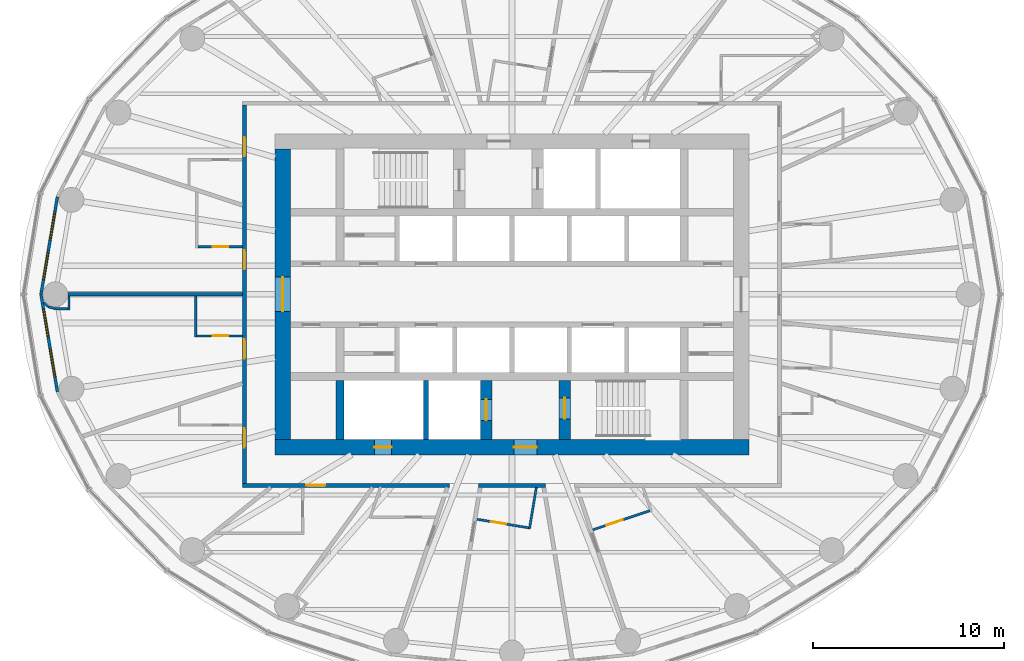
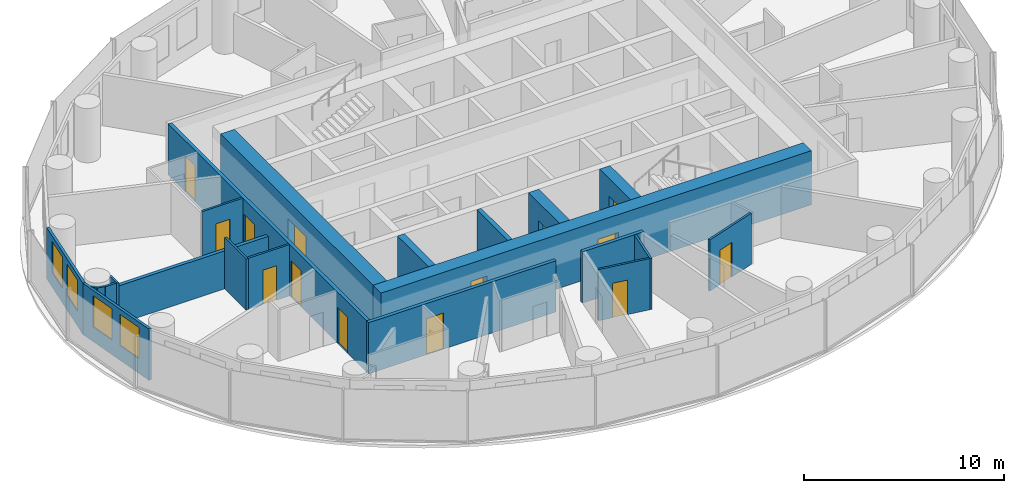
# One storey, part 7 of 13: 22 walls, 14 doors, 4 windows, 18 openings.
"""IFC4 building model written with IfcOpenShell, lengths in metres."""

from ifc_helpers import new_model, si_unit, direction, frame, frame_2d, origin, place, context, subcontext, project, spatial, rectangle, extrude, material, layer, layer_set, type_object, element, fill, save


model = new_model("IFC4")

# Units and contexts
model_context = context("Model", 3, precision=1e-05, world=origin(), true_north=direction((0.0, 1.0)))
body_context = subcontext(model_context, "Body", "Model", "MODEL_VIEW")
ifc_project = project(units=[si_unit("LENGTHUNIT", "METRE"), si_unit("AREAUNIT", "SQUARE_METRE"), si_unit("VOLUMEUNIT", "CUBIC_METRE"), si_unit("PLANEANGLEUNIT", "RADIAN"), si_unit("MASSUNIT", "GRAM", prefix="KILO")], contexts=[model_context])

# Site, building, storey
site_placement = place(None, origin())
site = spatial("IfcSite", under=ifc_project, at=site_placement, CompositionType="ELEMENT")
building_placement = place(site_placement, origin())
building = spatial("IfcBuilding", under=site, at=building_placement, Name="Hankou Lantern Tower", CompositionType="ELEMENT")
storey_placement = place(building_placement, frame((0.0, 0.0, 118.800048828125)))
storey = spatial("IfcBuildingStorey", under=building, at=storey_placement, Name="L30", CompositionType="ELEMENT", Elevation=118.800048828125)

# Wall, openings, doors
ifc_material_1 = material(Name="Concrete C60", Category="concrete")
ifc_layer_1 = layer(ifc_material_1, 0.800048828125)
ifc_layer_set_1 = layer_set([ifc_layer_1], Name="Concrete C60")
wall_type_1 = type_object("IfcWallType", Name="CW2 CORE WALL 800", PredefinedType="SHEAR", material=ifc_layer_set_1)
wall_1_placement = place(storey_placement, frame((12.39990234375, -8.0, 0.0), z_axis=(0.0, 0.0, 1.0), x_axis=(-1.0, 0.0, 0.0)))
wall_1 = element("IfcWall", 1, at=wall_1_placement, inside=storey, type_object=wall_type_1, Name="Core wall south L30", PredefinedType="SHEAR", context=body_context, shape_type="SweptSolid", body=[
    extrude(rectangle(XDim=24.7998046875, YDim=0.800048828125, at=frame_2d((12.39990234375, 0.0))), origin(), (0.0, 0.0, 1.0), 3.300048828125),
])
opening_1_placement = place(wall_1_placement, frame((11.10009765625, 0.0, 0.0)))
opening_1 = element("IfcOpeningElement", 2, at=opening_1_placement, cuts=wall_1, Name="Opening D5", PredefinedType="OPENING", context=body_context, shape_type="SweptSolid", body=[
    extrude(rectangle(XDim=1.199951171875, YDim=2.199951171875, at=frame_2d((0.60009765625, 1.10009765625))), frame((0.0, 0.409912109375, 0.0), z_axis=(0.0, -1.0, 0.0), x_axis=(1.0, 0.0, 0.0)), (0.0, 0.0, 1.0), 0.820068359375),
])
opening_2_placement = place(wall_1_placement, frame((18.699951171875, 0.0, 0.0)))
opening_2 = element("IfcOpeningElement", 3, at=opening_2_placement, cuts=wall_1, Name="Opening D7", PredefinedType="OPENING", context=body_context, shape_type="SweptSolid", body=[
    extrude(rectangle(XDim=0.89990234375, YDim=2.199951171875, at=frame_2d((0.449951171875, 1.10009765625))), frame((0.0, 0.409912109375, 0.0), z_axis=(0.0, -1.0, 0.0), x_axis=(1.0, 0.0, 0.0)), (0.0, 0.0, 1.0), 0.820068359375),
])
ifc_material_2 = material(Name="Steel door leaf", Category="steel")
door_type_1 = type_object("IfcDoorType", Name="D5 STAIR LOBBY DOOR 1200X2200", OperationType="SINGLE_SWING_LEFT", PredefinedType="DOOR", material=ifc_material_2)
door_1_placement = place(opening_1_placement, origin())
door_1 = element("IfcDoor", 4, at=door_1_placement, inside=storey, type_object=door_type_1, Name="Stair B lobby door", OperationType="SINGLE_SWING_LEFT", OverallHeight=2.199951171875, OverallWidth=1.199951171875, PredefinedType="DOOR", context=body_context, shape_type="SweptSolid", body=[
    extrude(rectangle(XDim=1.199951171875, YDim=2.199951171875, at=frame_2d((0.60009765625, 1.10009765625))), frame((0.0, 0.02490234375, 0.0), z_axis=(0.0, -1.0, 0.0), x_axis=(1.0, 0.0, 0.0)), (0.0, 0.0, 1.0), 0.050048828125),
])
fill(opening_1, door_1)
ifc_material_3 = material(Name="Steel door leaf", Category="steel")
door_type_2 = type_object("IfcDoorType", Name="D7 RISER DOOR 900X2200", OperationType="SINGLE_SWING_LEFT", PredefinedType="DOOR", material=ifc_material_3)
door_2_placement = place(opening_2_placement, origin())
door_2 = element("IfcDoor", 5, at=door_2_placement, inside=storey, type_object=door_type_2, Name="Riser S1 door", OperationType="SINGLE_SWING_RIGHT", OverallHeight=2.199951171875, OverallWidth=0.89990234375, PredefinedType="DOOR", context=body_context, shape_type="SweptSolid", body=[
    extrude(rectangle(XDim=0.89990234375, YDim=2.199951171875, at=frame_2d((0.449951171875, 1.10009765625))), frame((0.0, 0.02490234375, 0.0), z_axis=(0.0, -1.0, 0.0), x_axis=(1.0, 0.0, 0.0)), (0.0, 0.0, 1.0), 0.050048828125),
])
fill(opening_2, door_2)

# Wall, opening, door
wall_2_placement = place(storey_placement, frame((-12.0, 7.60009765625, 0.0), z_axis=(0.0, 0.0, 1.0), x_axis=(0.0, -1.0, 0.0)))
wall_2 = element("IfcWall", 6, at=wall_2_placement, inside=storey, type_object=wall_type_1, Name="Core wall west L30", PredefinedType="SHEAR", context=body_context, shape_type="SweptSolid", body=[
    extrude(rectangle(XDim=15.2001953125, YDim=0.800048828125, at=frame_2d((7.60009765625, 0.0))), origin(), (0.0, 0.0, 1.0), 3.300048828125),
])
opening_3_placement = place(wall_2_placement, frame((6.699951171875, 0.0, 0.0)))
opening_3 = element("IfcOpeningElement", 7, at=opening_3_placement, cuts=wall_2, Name="Opening D6", PredefinedType="OPENING", context=body_context, shape_type="SweptSolid", body=[
    extrude(rectangle(XDim=1.800048828125, YDim=2.199951171875, at=frame_2d((0.89990234375, 1.10009765625))), frame((0.0, 0.409912109375, 0.0), z_axis=(0.0, -1.0, 0.0), x_axis=(1.0, 0.0, 0.0)), (0.0, 0.0, 1.0), 0.820068359375),
])
ifc_material_4 = material(Name="Steel door leaf", Category="steel")
door_type_3 = type_object("IfcDoorType", Name="D6 LIFT LOBBY DOOR 1800X2200", OperationType="DOUBLE_DOOR_DOUBLE_SWING", PredefinedType="DOOR", material=ifc_material_4)
door_3_placement = place(opening_3_placement, origin())
door_3 = element("IfcDoor", 8, at=door_3_placement, inside=storey, type_object=door_type_3, Name="Lift lobby west door", OperationType="DOUBLE_DOOR_DOUBLE_SWING", OverallHeight=2.199951171875, OverallWidth=1.800048828125, PredefinedType="DOOR", context=body_context, shape_type="SweptSolid", body=[
    extrude(rectangle(XDim=1.800048828125, YDim=2.199951171875, at=frame_2d((0.89990234375, 1.10009765625))), frame((0.0, 0.02490234375, 0.0), z_axis=(0.0, -1.0, 0.0), x_axis=(1.0, 0.0, 0.0)), (0.0, 0.0, 1.0), 0.050048828125),
])
fill(opening_3, door_3)

# Wall
ifc_material_5 = material(Name="Concrete C60", Category="concrete")
ifc_layer_2 = layer(ifc_material_5, 0.39990234375)
ifc_layer_set_2 = layer_set([ifc_layer_2], Name="Concrete C60")
wall_type_2 = type_object("IfcWallType", Name="CW4 CORE CROSS WALL 400", PredefinedType="SHEAR", material=ifc_layer_set_2)
wall_3_placement = place(storey_placement, frame((-9.0, -7.60009765625, 0.0), z_axis=(0.0, 0.0, 1.0), x_axis=(0.0, 1.0, 0.0)))
element("IfcWall", 9, at=wall_3_placement, inside=storey, type_object=wall_type_2, Name="Core strip wall L30", PredefinedType="SHEAR", context=body_context, shape_type="SweptSolid", body=[
    extrude(rectangle(XDim=3.10009765625, YDim=0.39990234375, at=frame_2d((1.550048828125, 0.0))), origin(), (0.0, 0.0, 1.0), 3.300048828125),
])

# Wall, opening, door
ifc_material_6 = material(Name="Concrete C60", Category="concrete")
ifc_layer_3 = layer(ifc_material_6, 0.60009765625)
ifc_layer_set_3 = layer_set([ifc_layer_3], Name="Concrete C60")
wall_type_3 = type_object("IfcWallType", Name="CW6 STAIR AND SHAFT WALL 600", PredefinedType="SHEAR", material=ifc_layer_set_3)
wall_4_placement = place(storey_placement, frame((2.75, -7.60009765625, 0.0), z_axis=(0.0, 0.0, 1.0), x_axis=(0.0, 1.0, 0.0)))
wall_4 = element("IfcWall", 10, at=wall_4_placement, inside=storey, type_object=wall_type_3, Name="Stair wall L30", PredefinedType="SHEAR", context=body_context, shape_type="SweptSolid", body=[
    extrude(rectangle(XDim=3.10009765625, YDim=0.60009765625, at=frame_2d((1.550048828125, 0.0))), origin(), (0.0, 0.0, 1.0), 3.300048828125),
])
opening_4_placement = place(wall_4_placement, frame((1.074951171875, 0.0, 0.0)))
opening_4 = element("IfcOpeningElement", 11, at=opening_4_placement, cuts=wall_4, Name="Opening D4", PredefinedType="OPENING", context=body_context, shape_type="SweptSolid", body=[
    extrude(rectangle(XDim=1.10009765625, YDim=2.199951171875, at=frame_2d((0.550048828125, 1.10009765625))), frame((0.0, 0.31005859375, 0.0), z_axis=(0.0, -1.0, 0.0), x_axis=(1.0, 0.0, 0.0)), (0.0, 0.0, 1.0), 0.6201171875),
])
ifc_material_7 = material(Name="Steel door leaf", Category="steel")
door_type_4 = type_object("IfcDoorType", Name="D4 STAIR DOOR 1100X2200", OperationType="SINGLE_SWING_LEFT", PredefinedType="DOOR", material=ifc_material_7)
door_4_placement = place(opening_4_placement, origin())
door_4 = element("IfcDoor", 12, at=door_4_placement, inside=storey, type_object=door_type_4, Name="Stair B door", OperationType="SINGLE_SWING_RIGHT", OverallHeight=2.199951171875, OverallWidth=1.10009765625, PredefinedType="DOOR", context=body_context, shape_type="SweptSolid", body=[
    extrude(rectangle(XDim=1.10009765625, YDim=2.199951171875, at=frame_2d((0.550048828125, 1.10009765625))), frame((0.0, 0.02490234375, 0.0), z_axis=(0.0, -1.0, 0.0), x_axis=(1.0, 0.0, 0.0)), (0.0, 0.0, 1.0), 0.050048828125),
])
fill(opening_4, door_4)

wall_5_placement = place(storey_placement, frame((-1.35009765625, -7.60009765625, 0.0), z_axis=(0.0, 0.0, 1.0), x_axis=(0.0, 1.0, 0.0)))
wall_5 = element("IfcWall", 13, at=wall_5_placement, inside=storey, type_object=wall_type_3, Name="Firefighting lift shaft wall L30", PredefinedType="SHEAR", context=body_context, shape_type="SweptSolid", body=[
    extrude(rectangle(XDim=3.10009765625, YDim=0.60009765625, at=frame_2d((1.550048828125, 0.0))), origin(), (0.0, 0.0, 1.0), 3.300048828125),
])
opening_5_placement = place(wall_5_placement, frame((1.0, 0.0, 0.0)))
opening_5 = element("IfcOpeningElement", 14, at=opening_5_placement, cuts=wall_5, Name="Opening LD2", PredefinedType="OPENING", context=body_context, shape_type="SweptSolid", body=[
    extrude(rectangle(XDim=1.10009765625, YDim=2.199951171875, at=frame_2d((0.550048828125, 1.10009765625))), frame((0.0, 0.31005859375, 0.0), z_axis=(0.0, -1.0, 0.0), x_axis=(1.0, 0.0, 0.0)), (0.0, 0.0, 1.0), 0.6201171875),
])
ifc_material_8 = material(Name="Steel door leaf", Category="steel")
door_type_5 = type_object("IfcDoorType", Name="LD2 FIREFIGHTING LIFT LANDING DOOR 1100X2200", OperationType="DOUBLE_DOOR_SLIDING", PredefinedType="DOOR", material=ifc_material_8)
door_5_placement = place(opening_5_placement, origin())
door_5 = element("IfcDoor", 15, at=door_5_placement, inside=storey, type_object=door_type_5, Name="Firefighting lift FL2 landing door", OperationType="DOUBLE_DOOR_SLIDING", OverallHeight=2.199951171875, OverallWidth=1.10009765625, PredefinedType="DOOR", context=body_context, shape_type="SweptSolid", body=[
    extrude(rectangle(XDim=1.10009765625, YDim=2.199951171875, at=frame_2d((0.550048828125, 1.10009765625))), frame((0.0, 0.02490234375, 0.0), z_axis=(0.0, -1.0, 0.0), x_axis=(1.0, 0.0, 0.0)), (0.0, 0.0, 1.0), 0.050048828125),
])
fill(opening_5, door_5)

# Wall, openings, windows
ifc_material_9 = material(Name="Aluminium spandrel panel on steel studs", Category="steel")
ifc_layer_4 = layer(ifc_material_9, 0.14990234375)
ifc_layer_set_4 = layer_set([ifc_layer_4], Name="Aluminium spandrel panel on steel studs")
wall_type_4 = type_object("IfcWallType", Name="EW1 INNER SKIN WALL 150", PredefinedType="ELEMENTEDWALL", material=ifc_layer_set_4)
wall_6_placement = place(storey_placement, frame((-23.7919921875, 5.10009765625, 0.0), z_axis=(0.0, 0.0, 1.0), x_axis=(-0.165883894218, -0.986145290329, 0.0)))
wall_6 = element("IfcWall", 16, at=wall_6_placement, inside=storey, type_object=wall_type_4, Name="Inner skin R12-R13 L30", PredefinedType="ELEMENTEDWALL", context=body_context, shape_type="SweptSolid", body=[
    extrude(rectangle(XDim=5.171630859375, YDim=0.14990234375, at=frame_2d((2.5859375, 0.0))), origin(), (0.0, 0.0, 1.0), 3.119873046875),
])
opening_6_placement = place(wall_6_placement, frame((0.785888671875, 0.0, 0.89990234375)))
opening_6 = element("IfcOpeningElement", 17, at=opening_6_placement, cuts=wall_6, Name="Opening W2", PredefinedType="OPENING", context=body_context, shape_type="SweptSolid", body=[
    extrude(rectangle(XDim=1.5, YDim=1.89990234375, at=frame_2d((0.75, 0.949951171875))), frame((0.0, 0.0849609375, 0.0), z_axis=(0.0, -1.0, 0.0), x_axis=(1.0, 0.0, 0.0)), (0.0, 0.0, 1.0), 0.169921875),
])
opening_7_placement = place(wall_6_placement, frame((2.8857421875, 0.0, 0.89990234375)))
opening_7 = element("IfcOpeningElement", 18, at=opening_7_placement, cuts=wall_6, Name="Opening W2", PredefinedType="OPENING", context=body_context, shape_type="SweptSolid", body=[
    extrude(rectangle(XDim=1.5, YDim=1.89990234375, at=frame_2d((0.75, 0.949951171875))), frame((0.0, 0.0849609375, 0.0), z_axis=(0.0, -1.0, 0.0), x_axis=(1.0, 0.0, 0.0)), (0.0, 0.0, 1.0), 0.169921875),
])
ifc_material_10 = material(Name="Aluminium framed double glazed window", Category="aluminium")
window_type = type_object("IfcWindowType", Name="W2 GUEST ROOM WINDOW 1500X1900", PartitioningType="DOUBLE_PANEL_VERTICAL", PredefinedType="WINDOW", material=ifc_material_10)
window_1_placement = place(opening_6_placement, origin())
window_1 = element("IfcWindow", 19, at=window_1_placement, inside=storey, type_object=window_type, Name="Window R12.1 L30", OverallHeight=1.89990234375, OverallWidth=1.5, PartitioningType="SINGLE_PANEL", PredefinedType="WINDOW", context=body_context, shape_type="SweptSolid", body=[
    extrude(rectangle(XDim=1.5, YDim=1.89990234375, at=frame_2d((0.75, 0.949951171875))), frame((0.0, 0.030029296875, 0.0), z_axis=(0.0, -1.0, 0.0), x_axis=(1.0, 0.0, 0.0)), (0.0, 0.0, 1.0), 0.06005859375),
])
fill(opening_6, window_1)
window_2_placement = place(opening_7_placement, origin())
window_2 = element("IfcWindow", 20, at=window_2_placement, inside=storey, type_object=window_type, Name="Window R12.2 L30", OverallHeight=1.89990234375, OverallWidth=1.5, PartitioningType="SINGLE_PANEL", PredefinedType="WINDOW", context=body_context, shape_type="SweptSolid", body=[
    extrude(rectangle(XDim=1.5, YDim=1.89990234375, at=frame_2d((0.75, 0.949951171875))), frame((0.0, 0.030029296875, 0.0), z_axis=(0.0, -1.0, 0.0), x_axis=(1.0, 0.0, 0.0)), (0.0, 0.0, 1.0), 0.06005859375),
])
fill(opening_7, window_2)

wall_7_placement = place(storey_placement, frame((-24.64990234375, 0.0, 0.0), z_axis=(0.0, 0.0, 1.0), x_axis=(0.165883894218, -0.986145290329, 0.0)))
wall_7 = element("IfcWall", 21, at=wall_7_placement, inside=storey, type_object=wall_type_4, Name="Inner skin R13-R14 L30", PredefinedType="ELEMENTEDWALL", context=body_context, shape_type="SweptSolid", body=[
    extrude(rectangle(XDim=5.171630859375, YDim=0.14990234375, at=frame_2d((2.5859375, 0.0))), origin(), (0.0, 0.0, 1.0), 3.119873046875),
])
opening_8_placement = place(wall_7_placement, frame((0.785888671875, 0.0, 0.89990234375)))
opening_8 = element("IfcOpeningElement", 22, at=opening_8_placement, cuts=wall_7, Name="Opening W2", PredefinedType="OPENING", context=body_context, shape_type="SweptSolid", body=[
    extrude(rectangle(XDim=1.5, YDim=1.89990234375, at=frame_2d((0.75, 0.949951171875))), frame((0.0, 0.0849609375, 0.0), z_axis=(0.0, -1.0, 0.0), x_axis=(1.0, 0.0, 0.0)), (0.0, 0.0, 1.0), 0.169921875),
])
opening_9_placement = place(wall_7_placement, frame((2.8857421875, 0.0, 0.89990234375)))
opening_9 = element("IfcOpeningElement", 23, at=opening_9_placement, cuts=wall_7, Name="Opening W2", PredefinedType="OPENING", context=body_context, shape_type="SweptSolid", body=[
    extrude(rectangle(XDim=1.5, YDim=1.89990234375, at=frame_2d((0.75, 0.949951171875))), frame((0.0, 0.0849609375, 0.0), z_axis=(0.0, -1.0, 0.0), x_axis=(1.0, 0.0, 0.0)), (0.0, 0.0, 1.0), 0.169921875),
])
window_3_placement = place(opening_8_placement, origin())
window_3 = element("IfcWindow", 24, at=window_3_placement, inside=storey, type_object=window_type, Name="Window R13.1 L30", OverallHeight=1.89990234375, OverallWidth=1.5, PartitioningType="SINGLE_PANEL", PredefinedType="WINDOW", context=body_context, shape_type="SweptSolid", body=[
    extrude(rectangle(XDim=1.5, YDim=1.89990234375, at=frame_2d((0.75, 0.949951171875))), frame((0.0, 0.030029296875, 0.0), z_axis=(0.0, -1.0, 0.0), x_axis=(1.0, 0.0, 0.0)), (0.0, 0.0, 1.0), 0.06005859375),
])
fill(opening_8, window_3)
window_4_placement = place(opening_9_placement, origin())
window_4 = element("IfcWindow", 25, at=window_4_placement, inside=storey, type_object=window_type, Name="Window R13.2 L30", OverallHeight=1.89990234375, OverallWidth=1.5, PartitioningType="SINGLE_PANEL", PredefinedType="WINDOW", context=body_context, shape_type="SweptSolid", body=[
    extrude(rectangle(XDim=1.5, YDim=1.89990234375, at=frame_2d((0.75, 0.949951171875))), frame((0.0, 0.030029296875, 0.0), z_axis=(0.0, -1.0, 0.0), x_axis=(1.0, 0.0, 0.0)), (0.0, 0.0, 1.0), 0.06005859375),
])
fill(opening_9, window_4)

# Wall
ifc_material_11 = material(Name="Masonry lightweight concrete block", Category="masonry")
ifc_layer_5 = layer(ifc_material_11, 0.199951171875)
ifc_layer_set_5 = layer_set([ifc_layer_5], Name="Masonry lightweight concrete block")
wall_type_5 = type_object("IfcWallType", Name="IW1 GUEST ROOM PARTY WALL 200", PredefinedType="PARTITIONING", material=ifc_layer_set_5)
wall_8_placement = place(storey_placement, frame((-14.10009765625, 0.0, 0.0), z_axis=(0.0, 0.0, 1.0), x_axis=(-1.0, 0.0, 0.0)))
element("IfcWall", 26, at=wall_8_placement, inside=storey, type_object=wall_type_5, Name="Party wall R13", PredefinedType="PARTITIONING", context=body_context, shape_type="SweptSolid", body=[
    extrude(rectangle(XDim=9.14990234375, YDim=0.199951171875, at=frame_2d((4.574951171875, 0.0))), origin(), (0.0, 0.0, 1.0), 2.320068359375),
])

# Wall, openings, doors
ifc_material_12 = material(Name="Masonry lightweight concrete block", Category="masonry")
ifc_layer_6 = layer(ifc_material_12, 0.199951171875)
ifc_layer_set_6 = layer_set([ifc_layer_6], Name="Masonry lightweight concrete block")
wall_type_6 = type_object("IfcWallType", Name="IW2 CORRIDOR WALL 200", PredefinedType="PARTITIONING", material=ifc_layer_set_6)
wall_9_placement = place(storey_placement, frame((-14.0, 9.89990234375, 0.0), z_axis=(0.0, 0.0, 1.0), x_axis=(0.0, -1.0, 0.0)))
wall_9 = element("IfcWall", 27, at=wall_9_placement, inside=storey, type_object=wall_type_6, Name="Corridor wall west", PredefinedType="PARTITIONING", context=body_context, shape_type="SweptSolid", body=[
    extrude(rectangle(XDim=19.7998046875, YDim=0.199951171875, at=frame_2d((9.89990234375, 0.0))), origin(), (0.0, 0.0, 1.0), 3.119873046875),
])
opening_10_placement = place(wall_9_placement, frame((1.677734375, 0.0, 0.0)))
opening_10 = element("IfcOpeningElement", 28, at=opening_10_placement, cuts=wall_9, Name="Opening D2", PredefinedType="OPENING", context=body_context, shape_type="SweptSolid", body=[
    extrude(rectangle(XDim=1.0, YDim=2.199951171875, at=frame_2d((0.5, 1.10009765625))), frame((0.0, 0.10986328125, 0.0), z_axis=(0.0, -1.0, 0.0), x_axis=(1.0, 0.0, 0.0)), (0.0, 0.0, 1.0), 0.219970703125),
])
opening_11_placement = place(wall_9_placement, frame((7.59765625, 0.0, 0.0)))
opening_11 = element("IfcOpeningElement", 29, at=opening_11_placement, cuts=wall_9, Name="Opening D1", PredefinedType="OPENING", context=body_context, shape_type="SweptSolid", body=[
    extrude(rectangle(XDim=1.0, YDim=2.199951171875, at=frame_2d((0.5, 1.10009765625))), frame((0.0, 0.10986328125, 0.0), z_axis=(0.0, -1.0, 0.0), x_axis=(1.0, 0.0, 0.0)), (0.0, 0.0, 1.0), 0.219970703125),
])
opening_12_placement = place(wall_9_placement, frame((12.260009765625, 0.0, 0.0)))
opening_12 = element("IfcOpeningElement", 30, at=opening_12_placement, cuts=wall_9, Name="Opening D1", PredefinedType="OPENING", context=body_context, shape_type="SweptSolid", body=[
    extrude(rectangle(XDim=1.0, YDim=2.199951171875, at=frame_2d((0.5, 1.10009765625))), frame((0.0, 0.10986328125, 0.0), z_axis=(0.0, -1.0, 0.0), x_axis=(1.0, 0.0, 0.0)), (0.0, 0.0, 1.0), 0.219970703125),
])
opening_13_placement = place(wall_9_placement, frame((16.92236328125, 0.0, 0.0)))
opening_13 = element("IfcOpeningElement", 31, at=opening_13_placement, cuts=wall_9, Name="Opening D1", PredefinedType="OPENING", context=body_context, shape_type="SweptSolid", body=[
    extrude(rectangle(XDim=1.0, YDim=2.199951171875, at=frame_2d((0.5, 1.10009765625))), frame((0.0, 0.10986328125, 0.0), z_axis=(0.0, -1.0, 0.0), x_axis=(1.0, 0.0, 0.0)), (0.0, 0.0, 1.0), 0.219970703125),
])
ifc_material_13 = material(Name="Steel door leaf", Category="steel")
door_type_6 = type_object("IfcDoorType", Name="D1 GUEST ROOM DOOR 1000X2200", OperationType="SINGLE_SWING_LEFT", PredefinedType="DOOR", material=ifc_material_13)
door_6_placement = place(opening_11_placement, origin())
door_6 = element("IfcDoor", 32, at=door_6_placement, inside=storey, type_object=door_type_6, Name="Guest room door 3006", OperationType="SINGLE_SWING_LEFT", OverallHeight=2.199951171875, OverallWidth=1.0, PredefinedType="DOOR", context=body_context, shape_type="SweptSolid", body=[
    extrude(rectangle(XDim=1.0, YDim=2.199951171875, at=frame_2d((0.5, 1.10009765625))), frame((0.0, 0.02490234375, 0.0), z_axis=(0.0, -1.0, 0.0), x_axis=(1.0, 0.0, 0.0)), (0.0, 0.0, 1.0), 0.050048828125),
])
fill(opening_11, door_6)
door_7_placement = place(opening_12_placement, origin())
door_7 = element("IfcDoor", 33, at=door_7_placement, inside=storey, type_object=door_type_6, Name="Guest room door 3007", OperationType="SINGLE_SWING_RIGHT", OverallHeight=2.199951171875, OverallWidth=1.0, PredefinedType="DOOR", context=body_context, shape_type="SweptSolid", body=[
    extrude(rectangle(XDim=1.0, YDim=2.199951171875, at=frame_2d((0.5, 1.10009765625))), frame((0.0, 0.02490234375, 0.0), z_axis=(0.0, -1.0, 0.0), x_axis=(1.0, 0.0, 0.0)), (0.0, 0.0, 1.0), 0.050048828125),
])
fill(opening_12, door_7)
door_8_placement = place(opening_13_placement, origin())
door_8 = element("IfcDoor", 34, at=door_8_placement, inside=storey, type_object=door_type_6, Name="Guest room door 3008", OperationType="SINGLE_SWING_RIGHT", OverallHeight=2.199951171875, OverallWidth=1.0, PredefinedType="DOOR", context=body_context, shape_type="SweptSolid", body=[
    extrude(rectangle(XDim=1.0, YDim=2.199951171875, at=frame_2d((0.5, 1.10009765625))), frame((0.0, 0.02490234375, 0.0), z_axis=(0.0, -1.0, 0.0), x_axis=(1.0, 0.0, 0.0)), (0.0, 0.0, 1.0), 0.050048828125),
])
fill(opening_13, door_8)
ifc_material_14 = material(Name="Steel door leaf", Category="steel")
door_type_7 = type_object("IfcDoorType", Name="D2 SUITE DOOR 1000X2200", OperationType="SINGLE_SWING_LEFT", PredefinedType="DOOR", material=ifc_material_14)
door_9_placement = place(opening_10_placement, origin())
door_9 = element("IfcDoor", 35, at=door_9_placement, inside=storey, type_object=door_type_7, Name="Suite door 3005", OperationType="SINGLE_SWING_LEFT", OverallHeight=2.199951171875, OverallWidth=1.0, PredefinedType="DOOR", context=body_context, shape_type="SweptSolid", body=[
    extrude(rectangle(XDim=1.0, YDim=2.199951171875, at=frame_2d((0.5, 1.10009765625))), frame((0.0, 0.02490234375, 0.0), z_axis=(0.0, -1.0, 0.0), x_axis=(1.0, 0.0, 0.0)), (0.0, 0.0, 1.0), 0.050048828125),
])
fill(opening_10, door_9)

# Wall
wall_10_placement = place(storey_placement, frame((1.76513671875, -10.0, 0.0), z_axis=(0.0, 0.0, 1.0), x_axis=(-1.0, 0.0, 0.0)))
element("IfcWall", 36, at=wall_10_placement, inside=storey, type_object=wall_type_6, Name="Corridor wall south", PredefinedType="PARTITIONING", context=body_context, shape_type="SweptSolid", body=[
    extrude(rectangle(XDim=3.5302734375, YDim=0.199951171875, at=frame_2d((1.76513671875, 0.0))), origin(), (0.0, 0.0, 1.0), 3.119873046875),
])

# Wall, opening, door
wall_11_placement = place(storey_placement, frame((-3.282958984375, -10.0, 0.0), z_axis=(0.0, 0.0, 1.0), x_axis=(-1.0, 0.0, 0.0)))
wall_11 = element("IfcWall", 37, at=wall_11_placement, inside=storey, type_object=wall_type_6, Name="Corridor wall south", PredefinedType="PARTITIONING", context=body_context, shape_type="SweptSolid", body=[
    extrude(rectangle(XDim=10.817138671875, YDim=0.199951171875, at=frame_2d((5.40869140625, 0.0))), origin(), (0.0, 0.0, 1.0), 3.119873046875),
])
opening_14_placement = place(wall_11_placement, frame((6.482177734375, 0.0, 0.0)))
opening_14 = element("IfcOpeningElement", 38, at=opening_14_placement, cuts=wall_11, Name="Opening D1", PredefinedType="OPENING", context=body_context, shape_type="SweptSolid", body=[
    extrude(rectangle(XDim=1.0, YDim=2.199951171875, at=frame_2d((0.5, 1.10009765625))), frame((0.0, 0.10986328125, 0.0), z_axis=(0.0, -1.0, 0.0), x_axis=(1.0, 0.0, 0.0)), (0.0, 0.0, 1.0), 0.219970703125),
])
door_10_placement = place(opening_14_placement, origin())
door_10 = element("IfcDoor", 39, at=door_10_placement, inside=storey, type_object=door_type_6, Name="Guest room door 3009", OperationType="SINGLE_SWING_RIGHT", OverallHeight=2.199951171875, OverallWidth=1.0, PredefinedType="DOOR", context=body_context, shape_type="SweptSolid", body=[
    extrude(rectangle(XDim=1.0, YDim=2.199951171875, at=frame_2d((0.5, 1.10009765625))), frame((0.0, 0.02490234375, 0.0), z_axis=(0.0, -1.0, 0.0), x_axis=(1.0, 0.0, 0.0)), (0.0, 0.0, 1.0), 0.050048828125),
])
fill(opening_14, door_10)

ifc_material_15 = material(Name="Masonry lightweight concrete block", Category="masonry")
ifc_layer_7 = layer(ifc_material_15, 0.1201171875)
ifc_layer_set_7 = layer_set([ifc_layer_7], Name="Masonry lightweight concrete block")
wall_type_7 = type_object("IfcWallType", Name="IW3 BATHROOM WALL 120", PredefinedType="PARTITIONING", material=ifc_layer_set_7)
wall_12_placement = place(storey_placement, frame((-14.10009765625, 2.482177734375, 0.0), z_axis=(0.0, 0.0, 1.0), x_axis=(-1.0, 0.0, 0.0)))
wall_12 = element("IfcWall", 40, at=wall_12_placement, inside=storey, type_object=wall_type_7, Name="Box wall 3006 1", PredefinedType="PARTITIONING", context=body_context, shape_type="SweptSolid", body=[
    extrude(rectangle(XDim=2.33984375, YDim=0.1201171875, at=frame_2d((1.169921875, 0.0))), origin(), (0.0, 0.0, 1.0), 3.119873046875),
])
opening_15_placement = place(wall_12_placement, frame((0.75, 0.0, 0.0)))
opening_15 = element("IfcOpeningElement", 41, at=opening_15_placement, cuts=wall_12, Name="Opening D3", PredefinedType="OPENING", context=body_context, shape_type="SweptSolid", body=[
    extrude(rectangle(XDim=0.800048828125, YDim=2.10009765625, at=frame_2d((0.39990234375, 1.050048828125))), frame((0.0, 0.070068359375, 0.0), z_axis=(0.0, -1.0, 0.0), x_axis=(1.0, 0.0, 0.0)), (0.0, 0.0, 1.0), 0.14013671875),
])
ifc_material_16 = material(Name="Timber door leaf", Category="wood")
door_type_8 = type_object("IfcDoorType", Name="D3 BATHROOM DOOR 800X2100", OperationType="SINGLE_SWING_LEFT", PredefinedType="DOOR", material=ifc_material_16)
door_11_placement = place(opening_15_placement, origin())
door_11 = element("IfcDoor", 42, at=door_11_placement, inside=storey, type_object=door_type_8, Name="En-suite bathroom 3006 door", OperationType="SINGLE_SWING_LEFT", OverallHeight=2.10009765625, OverallWidth=0.800048828125, PredefinedType="DOOR", context=body_context, shape_type="SweptSolid", body=[
    extrude(rectangle(XDim=0.800048828125, YDim=2.10009765625, at=frame_2d((0.39990234375, 1.050048828125))), frame((0.0, 0.02490234375, 0.0), z_axis=(0.0, -1.0, 0.0), x_axis=(1.0, 0.0, 0.0)), (0.0, 0.0, 1.0), 0.050048828125),
])
fill(opening_15, door_11)

# Wall
wall_13_placement = place(storey_placement, frame((-16.550048828125, -0.10009765625, 0.0), z_axis=(0.0, 0.0, 1.0), x_axis=(0.0, -1.0, 0.0)))
element("IfcWall", 43, at=wall_13_placement, inside=storey, type_object=wall_type_7, Name="Box wall 3007 1", PredefinedType="PARTITIONING", context=body_context, shape_type="SweptSolid", body=[
    extrude(rectangle(XDim=2.139892578125, YDim=0.1201171875, at=frame_2d((1.06982421875, 0.0))), origin(), (0.0, 0.0, 1.0), 3.119873046875),
])

# Wall, opening, door
wall_14_placement = place(storey_placement, frame((-14.10009765625, -2.179931640625, 0.0), z_axis=(0.0, 0.0, 1.0), x_axis=(-1.0, 0.0, 0.0)))
wall_14 = element("IfcWall", 44, at=wall_14_placement, inside=storey, type_object=wall_type_7, Name="Box wall 3007 1", PredefinedType="PARTITIONING", context=body_context, shape_type="SweptSolid", body=[
    extrude(rectangle(XDim=2.389892578125, YDim=0.1201171875, at=frame_2d((1.19482421875, 0.0))), origin(), (0.0, 0.0, 1.0), 3.119873046875),
])
opening_16_placement = place(wall_14_placement, frame((0.75, 0.0, 0.0)))
opening_16 = element("IfcOpeningElement", 45, at=opening_16_placement, cuts=wall_14, Name="Opening D3", PredefinedType="OPENING", context=body_context, shape_type="SweptSolid", body=[
    extrude(rectangle(XDim=0.800048828125, YDim=2.10009765625, at=frame_2d((0.39990234375, 1.050048828125))), frame((0.0, 0.070068359375, 0.0), z_axis=(0.0, -1.0, 0.0), x_axis=(1.0, 0.0, 0.0)), (0.0, 0.0, 1.0), 0.14013671875),
])
door_12_placement = place(opening_16_placement, origin())
door_12 = element("IfcDoor", 46, at=door_12_placement, inside=storey, type_object=door_type_8, Name="En-suite bathroom 3007 door", OperationType="SINGLE_SWING_LEFT", OverallHeight=2.10009765625, OverallWidth=0.800048828125, PredefinedType="DOOR", context=body_context, shape_type="SweptSolid", body=[
    extrude(rectangle(XDim=0.800048828125, YDim=2.10009765625, at=frame_2d((0.39990234375, 1.050048828125))), frame((0.0, 0.02490234375, 0.0), z_axis=(0.0, -1.0, 0.0), x_axis=(1.0, 0.0, 0.0)), (0.0, 0.0, 1.0), 0.050048828125),
])
fill(opening_16, door_12)

# Wall
wall_15_placement = place(storey_placement, frame((1.271240234375, -10.1162109375, 0.0), z_axis=(0.0, 0.0, 1.0), x_axis=(-0.162672481395, -0.986680122328, 0.0)))
element("IfcWall", 47, at=wall_15_placement, inside=storey, type_object=wall_type_7, Name="Box wall 3012 1", PredefinedType="PARTITIONING", context=body_context, shape_type="SweptSolid", body=[
    extrude(rectangle(XDim=2.20166015625, YDim=0.1201171875, at=frame_2d((1.100830078125, 0.0))), origin(), (0.0, 0.0, 1.0), 3.119873046875),
])

# Wall, opening, door
wall_16_placement = place(storey_placement, frame((-1.83984375, -11.77392578125, 0.0), z_axis=(0.0, 0.0, 1.0), x_axis=(0.986676602341, -0.162693830222, 0.0)))
wall_16 = element("IfcWall", 48, at=wall_16_placement, inside=storey, type_object=wall_type_7, Name="Box wall 3012 1", PredefinedType="PARTITIONING", context=body_context, shape_type="SweptSolid", body=[
    extrude(rectangle(XDim=2.740234375, YDim=0.1201171875, at=frame_2d((1.3701171875, 0.0))), origin(), (0.0, 0.0, 1.0), 3.119873046875),
])
opening_17_placement = place(wall_16_placement, frame((0.75, 0.0, 0.0)))
opening_17 = element("IfcOpeningElement", 49, at=opening_17_placement, cuts=wall_16, Name="Opening D3", PredefinedType="OPENING", context=body_context, shape_type="SweptSolid", body=[
    extrude(rectangle(XDim=0.800048828125, YDim=2.10009765625, at=frame_2d((0.39990234375, 1.050048828125))), frame((0.0, 0.070068359375, 0.0), z_axis=(0.0, -1.0, 0.0), x_axis=(1.0, 0.0, 0.0)), (0.0, 0.0, 1.0), 0.14013671875),
])
door_13_placement = place(opening_17_placement, origin())
door_13 = element("IfcDoor", 50, at=door_13_placement, inside=storey, type_object=door_type_8, Name="En-suite bathroom 3012 door", OperationType="SINGLE_SWING_LEFT", OverallHeight=2.10009765625, OverallWidth=0.800048828125, PredefinedType="DOOR", context=body_context, shape_type="SweptSolid", body=[
    extrude(rectangle(XDim=0.800048828125, YDim=2.10009765625, at=frame_2d((0.39990234375, 1.050048828125))), frame((0.0, 0.02490234375, 0.0), z_axis=(0.0, -1.0, 0.0), x_axis=(1.0, 0.0, 0.0)), (0.0, 0.0, 1.0), 0.050048828125),
])
fill(opening_17, door_13)

wall_17_placement = place(storey_placement, frame((4.233642578125, -12.324951171875, 0.0), z_axis=(0.0, 0.0, 1.0), x_axis=(0.948239154858, 0.317557089663, 0.0)))
wall_17 = element("IfcWall", 51, at=wall_17_placement, inside=storey, type_object=wall_type_7, Name="Box wall 3014 1", PredefinedType="PARTITIONING", context=body_context, shape_type="SweptSolid", body=[
    extrude(rectangle(XDim=3.139892578125, YDim=0.1201171875, at=frame_2d((1.56982421875, 0.0))), origin(), (0.0, 0.0, 1.0), 3.119873046875),
])
opening_18_placement = place(wall_17_placement, frame((0.75, 0.0, 0.0)))
opening_18 = element("IfcOpeningElement", 52, at=opening_18_placement, cuts=wall_17, Name="Opening D26", PredefinedType="OPENING", context=body_context, shape_type="SweptSolid", body=[
    extrude(rectangle(XDim=0.89990234375, YDim=2.10009765625, at=frame_2d((0.449951171875, 1.050048828125))), frame((0.0, 0.070068359375, 0.0), z_axis=(0.0, -1.0, 0.0), x_axis=(1.0, 0.0, 0.0)), (0.0, 0.0, 1.0), 0.14013671875),
])
ifc_material_17 = material(Name="Timber door leaf", Category="wood")
door_type_9 = type_object("IfcDoorType", Name="D26 ACCESSIBLE BATHROOM DOOR 900X2100", OperationType="SLIDING_TO_LEFT", PredefinedType="DOOR", material=ifc_material_17)
door_14_placement = place(opening_18_placement, origin())
door_14 = element("IfcDoor", 53, at=door_14_placement, inside=storey, type_object=door_type_9, Name="Accessible bathroom 3014 door", OperationType="SLIDING_TO_LEFT", OverallHeight=2.10009765625, OverallWidth=0.89990234375, PredefinedType="DOOR", context=body_context, shape_type="SweptSolid", body=[
    extrude(rectangle(XDim=0.89990234375, YDim=2.10009765625, at=frame_2d((0.449951171875, 1.050048828125))), frame((0.0, 0.02490234375, 0.0), z_axis=(0.0, -1.0, 0.0), x_axis=(1.0, 0.0, 0.0)), (0.0, 0.0, 1.0), 0.050048828125),
])
fill(opening_18, door_14)

# Walls
ifc_material_18 = material(Name="Masonry lightweight concrete block", Category="masonry")
ifc_layer_8 = layer(ifc_material_18, 0.1201171875)
ifc_layer_set_8 = layer_set([ifc_layer_8], Name="Masonry lightweight concrete block")
wall_type_8 = type_object("IfcWallType", Name="IW4 PARTITION 120", PredefinedType="PARTITIONING", material=ifc_layer_set_8)
wall_18_placement = place(storey_placement, frame((-23.18994140625, -0.10009765625, 0.0), z_axis=(0.0, 0.0, 1.0), x_axis=(0.0, -1.0, 0.0)))
element("IfcWall", 54, at=wall_18_placement, inside=storey, type_object=wall_type_8, Name="Column casing R13 return", PredefinedType="PARTITIONING", context=body_context, shape_type="SweptSolid", body=[
    extrude(rectangle(XDim=0.715576171875, YDim=0.1201171875, at=frame_2d((0.35791015625, 0.0))), origin(), (0.0, 0.0, 1.0), 3.119873046875),
])
wall_19_placement = place(storey_placement, frame((-23.25, -0.755859375, 0.0), z_axis=(0.0, 0.0, 1.0), x_axis=(-1.0, 0.0, 0.0)))
element("IfcWall", 55, at=wall_19_placement, inside=storey, type_object=wall_type_8, Name="Column casing R13", PredefinedType="PARTITIONING", context=body_context, shape_type="SweptSolid", body=[
    extrude(rectangle(XDim=0.64990234375, YDim=0.1201171875, at=frame_2d((0.324951171875, 0.0))), origin(), (0.0, 0.0, 1.0), 3.119873046875),
])
wall_20_placement = place(storey_placement, frame((-23.89990234375, -0.755859375, 0.0), z_axis=(0.0, 0.0, 1.0), x_axis=(-0.965892334856, 0.2589440045, 0.0)))
element("IfcWall", 56, at=wall_20_placement, inside=storey, type_object=wall_type_8, Name="Column casing R13", PredefinedType="PARTITIONING", context=body_context, shape_type="SweptSolid", body=[
    extrude(rectangle(XDim=0.391357421875, YDim=0.1201171875, at=frame_2d((0.19580078125, 0.0))), origin(), (0.0, 0.0, 1.0), 3.119873046875),
])
wall_21_placement = place(storey_placement, frame((-24.27783203125, -0.654541015625, 0.0), z_axis=(0.0, 0.0, 1.0), x_axis=(-0.707106781187, 0.707106781187, 0.0)))
element("IfcWall", 57, at=wall_21_placement, inside=storey, type_object=wall_type_8, Name="Column casing R13", PredefinedType="PARTITIONING", context=body_context, shape_type="SweptSolid", body=[
    extrude(rectangle(XDim=0.317626953125, YDim=0.1201171875, at=frame_2d((0.15869140625, 0.0))), origin(), (0.0, 0.0, 1.0), 3.119873046875),
])
ifc_material_19 = material(Name="Masonry autoclaved aerated concrete block", Category="masonry")
ifc_layer_9 = layer(ifc_material_19, 0.25)
ifc_layer_set_9 = layer_set([ifc_layer_9], Name="Masonry autoclaved aerated concrete block")
wall_type_9 = type_object("IfcWallType", Name="SW1 SHAFT BLOCK WALL 250", PredefinedType="PARTITIONING", material=ifc_layer_set_9)
wall_22_placement = place(storey_placement, frame((-4.5, -7.60009765625, 0.0), z_axis=(0.0, 0.0, 1.0), x_axis=(0.0, 1.0, 0.0)))
element("IfcWall", 58, at=wall_22_placement, inside=storey, type_object=wall_type_9, Name="Riser wall L30", PredefinedType="PARTITIONING", context=body_context, shape_type="SweptSolid", body=[
    extrude(rectangle(XDim=3.10009765625, YDim=0.25, at=frame_2d((1.550048828125, 0.0))), origin(), (0.0, 0.0, 1.0), 3.300048828125),
])

save(model, "model.ifc")
